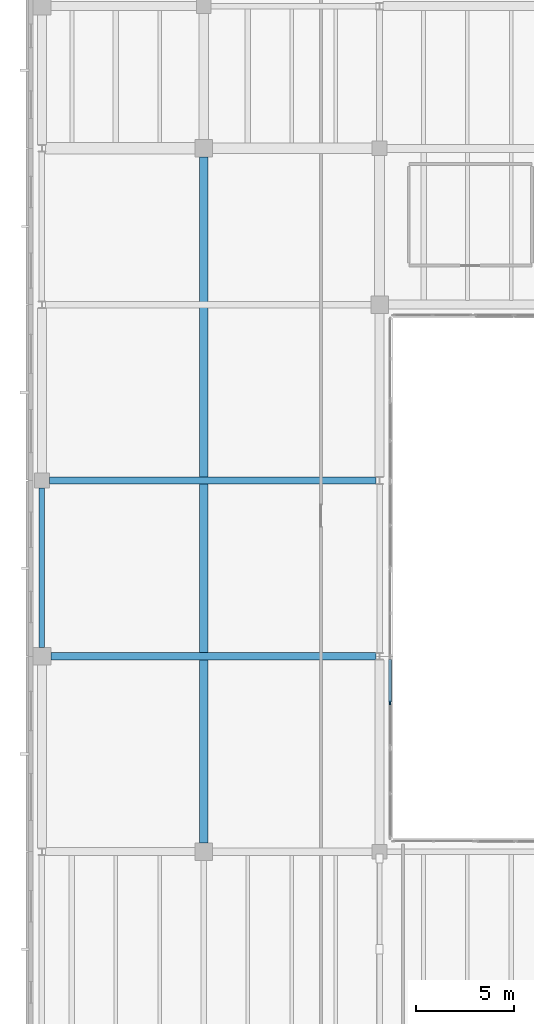
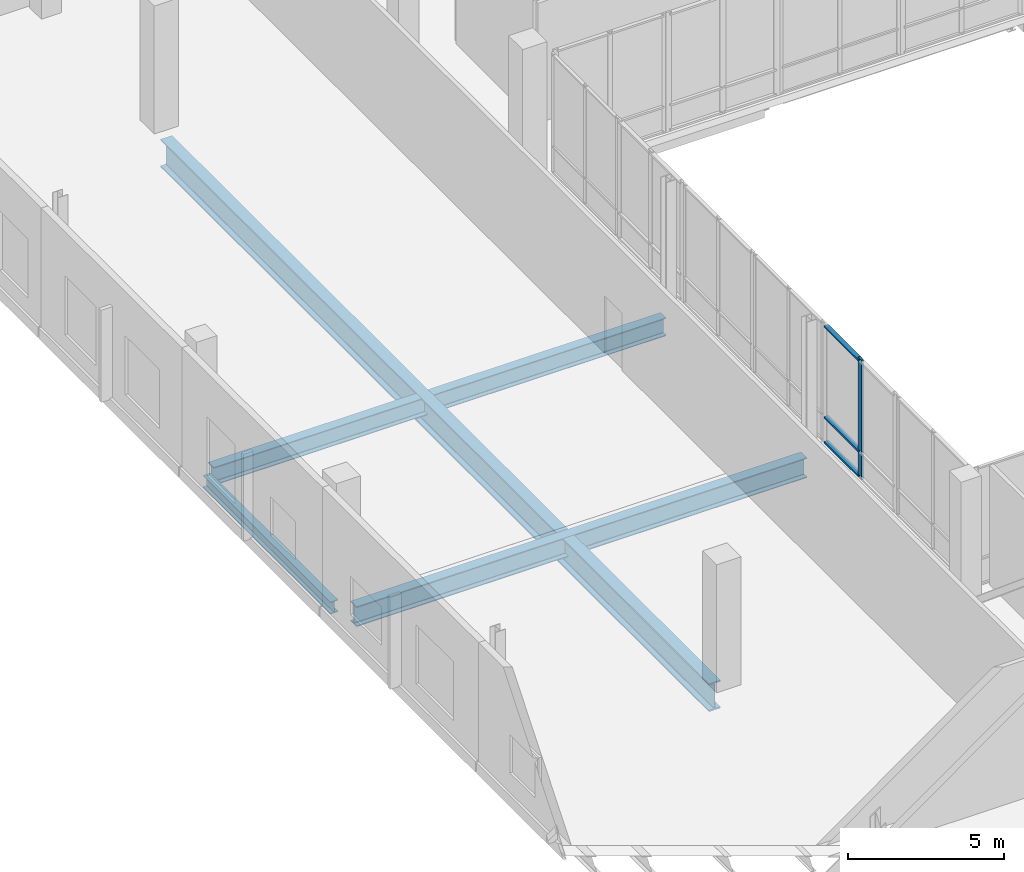
# One storey, part 32 of 81: 4 beams, 4 members, 1 element without a shape of its own.
"""IFC4 building model written with IfcOpenShell, lengths in metres."""

from ifc_helpers import new_model, si_unit, direction, frame, origin, origin_2d, place, context, subcontext, project, spatial, rectangle, i_section, extrude, material, material_profile, profile_set, type_object, element, aggregate, save


model = new_model("IFC4")

# Units and contexts
model_context = context("Model", 3, precision=1e-05, world=origin(), true_north=direction((0.0, 1.0)))
body_context = subcontext(model_context, "Body", "Model", "MODEL_VIEW")
ifc_project = project(units=[si_unit("LENGTHUNIT", "METRE"), si_unit("AREAUNIT", "SQUARE_METRE"), si_unit("VOLUMEUNIT", "CUBIC_METRE"), si_unit("PLANEANGLEUNIT", "RADIAN"), si_unit("MASSUNIT", "GRAM", prefix="KILO")], contexts=[model_context])

# Site, building, storey
site_placement = place(None, origin())
site = spatial("IfcSite", under=ifc_project, at=site_placement, CompositionType="ELEMENT")
building_placement = place(site_placement, origin())
building = spatial("IfcBuilding", under=site, at=building_placement, Name="Trimount Lyric Opera House", CompositionType="ELEMENT")
storey_placement = place(building_placement, frame((0.0, 0.0, 5.0)))
storey = spatial("IfcBuildingStorey", under=building, at=storey_placement, Name="L01", CompositionType="ELEMENT", Elevation=5.0)

# Beams
ifc_material_1 = material(Name="Steel ASTM A992 Grade 50", Category="steel")
ifc_material_profile_1 = material_profile(ifc_material_1, i_section(OverallWidth=0.382080078125, OverallDepth=0.779052734375, WebThickness=0.01806640625, FlangeThickness=0.0302734375, FilletRadius=0.01904296875, at=origin_2d()), Name="W30X191")
ifc_profile_set_1 = profile_set([ifc_material_profile_1], Name="Steel ASTM A992 Grade 50")
beam_type_1 = type_object("IfcBeamType", Name="B-06", PredefinedType="BEAM", material=ifc_profile_set_1)
beam_1_placement = place(storey_placement, frame((1.169921875, 84.0, -0.66943359375), z_axis=(1.0, 0.0, 0.0), x_axis=(0.0, 1.0, 0.0)))
element("IfcBeam", 1, at=beam_1_placement, inside=storey, type_object=beam_type_1, Name="L01 girder X-0533", PredefinedType="BEAM", context=body_context, shape_type="SweptSolid", body=[
    extrude(i_section(OverallWidth=0.382080078125, OverallDepth=0.779052734375, WebThickness=0.01806640625, FlangeThickness=0.0302734375, FilletRadius=0.01904296875, at=origin_2d()), origin(), (0.0, 0.0, 1.0), 16.64599609375),
])
ifc_material_2 = material(Name="Steel ASTM A992 Grade 50", Category="steel")
ifc_material_profile_2 = material_profile(ifc_material_2, i_section(OverallWidth=0.35595703125, OverallDepth=0.700927734375, WebThickness=0.016845703125, FlangeThickness=0.02734375, FilletRadius=0.01806640625, at=origin_2d()), Name="W27X161")
ifc_profile_set_2 = profile_set([ifc_material_profile_2], Name="Steel ASTM A992 Grade 50")
beam_type_2 = type_object("IfcBeamType", Name="B-08", PredefinedType="BEAM", material=ifc_profile_set_2)
beam_2_placement = place(storey_placement, frame((1.094970703125, 93.0, -0.630615234375), z_axis=(1.0, 0.0, 0.0), x_axis=(0.0, 1.0, 0.0)))
element("IfcBeam", 2, at=beam_2_placement, inside=storey, type_object=beam_type_2, Name="L01 girder X-0543", PredefinedType="BEAM", context=body_context, shape_type="SweptSolid", body=[
    extrude(i_section(OverallWidth=0.35595703125, OverallDepth=0.700927734375, WebThickness=0.016845703125, FlangeThickness=0.02734375, FilletRadius=0.01806640625, at=origin_2d()), origin(), (0.0, 0.0, 1.0), 16.718505859375),
])

# Curtain wall, member
ifc_material_3 = material(Name="Thermally Broken Aluminium and Low-E Glass", Category="aluminium")
curtain_wall_type = type_object("IfcCurtainWallType", Name="CW-03", PredefinedType="NOTDEFINED", material=ifc_material_3)
curtain_wall_placement = place(storey_placement, origin())
curtain_wall = element("IfcCurtainWall", 3, at=curtain_wall_placement, inside=storey, type_object=curtain_wall_type, Name="L01 curtain wall 165", PredefinedType="NOTDEFINED")
ifc_material_4 = material(Name="Anodised Aluminium 6063-T6", Category="aluminium")
ifc_material_profile_3 = material_profile(ifc_material_4, rectangle(XDim=0.070068359375, YDim=0.219970703125, at=origin_2d()), Name="ALU-MULL-70X220")
ifc_profile_set_3 = profile_set([ifc_material_profile_3], Name="Anodised Aluminium 6063-T6")
member_type_1 = type_object("IfcMemberType", Name="ML-01", PredefinedType="MULLION", material=ifc_profile_set_3)
member_1_placement = place(storey_placement, frame((18.5400390625, 81.625, 0.0), z_axis=(0.0, 0.0, 1.0), x_axis=(1.0, 0.0, 0.0)))
member_1 = element("IfcMember", 4, at=member_1_placement, type_object=member_type_1, Name="CW-03 mullion 2", PredefinedType="MULLION", context=body_context, shape_type="SweptSolid", body=[
    extrude(rectangle(XDim=0.070068359375, YDim=0.219970703125, at=origin_2d()), origin(), (0.0, 0.0, 1.0), 4.679931640625),
])

# Beams
ifc_material_5 = material(Name="Steel ASTM A992 Grade 50", Category="steel")
ifc_material_profile_4 = material_profile(ifc_material_5, i_section(OverallWidth=0.281982421875, OverallDepth=0.467041015625, WebThickness=0.01220703125, FlangeThickness=0.01953125, FilletRadius=0.012939453125, at=origin_2d()), Name="W18X86")
ifc_profile_set_4 = profile_set([ifc_material_profile_4], Name="Steel ASTM A992 Grade 50")
beam_type_3 = type_object("IfcBeamType", Name="SP-01", PredefinedType="SPANDREL", material=ifc_profile_set_4)
beam_3_placement = place(storey_placement, frame((0.719970703125, 84.449951171875, -0.513427734375), z_axis=(0.0, 1.0, 0.0), x_axis=(-1.0, 0.0, 0.0)))
element("IfcBeam", 5, at=beam_3_placement, inside=storey, type_object=beam_type_3, Name="L01 girder Y-0600", PredefinedType="SPANDREL", context=body_context, shape_type="SweptSolid", body=[
    extrude(i_section(OverallWidth=0.281982421875, OverallDepth=0.467041015625, WebThickness=0.01220703125, FlangeThickness=0.01953125, FilletRadius=0.012939453125, at=origin_2d()), origin(), (0.0, 0.0, 1.0), 8.175048828125),
])
ifc_material_6 = material(Name="Steel ASTM A992 Grade 50", Category="steel")
ifc_material_profile_5 = material_profile(ifc_material_6, i_section(OverallWidth=0.427001953125, OverallDepth=1.092041015625, WebThickness=0.031005859375, FlangeThickness=0.055908203125, FilletRadius=0.02490234375, at=origin_2d()), Name="W40X397")
ifc_profile_set_5 = profile_set([ifc_material_profile_5], Name="Steel ASTM A992 Grade 50")
beam_type_4 = type_object("IfcBeamType", Name="TG-02", PredefinedType="USERDEFINED", material=ifc_profile_set_5)
beam_4_placement = place(storey_placement, frame((9.0, 74.449951171875, -0.825927734375), z_axis=(0.0, 1.0, 0.0), x_axis=(-1.0, 0.0, 0.0)))
element("IfcBeam", 6, at=beam_4_placement, inside=storey, type_object=beam_type_4, Name="L01 girder Y-0609", ObjectType="TRANSFER_GIRDER", PredefinedType="USERDEFINED", context=body_context, shape_type="SweptSolid", body=[
    extrude(i_section(OverallWidth=0.427001953125, OverallDepth=1.092041015625, WebThickness=0.031005859375, FlangeThickness=0.055908203125, FilletRadius=0.02490234375, at=origin_2d()), origin(), (0.0, 0.0, 1.0), 35.10009765625),
])

# Member
ifc_material_7 = material(Name="Anodised Aluminium 6063-T6", Category="aluminium")
ifc_material_profile_6 = material_profile(ifc_material_7, rectangle(XDim=0.159912109375, YDim=0.070068359375, at=origin_2d()), Name="ALU-TRAN-70X160")
ifc_profile_set_6 = profile_set([ifc_material_profile_6], Name="Anodised Aluminium 6063-T6")
member_type_2 = type_object("IfcMemberType", Name="TR-01", PredefinedType="USERDEFINED", material=ifc_profile_set_6)
member_2_placement = place(storey_placement, frame((18.5400390625, 83.840087890625, 0.080078125), z_axis=(0.0, -1.0, 0.0), x_axis=(1.0, 0.0, 0.0)))
member_2 = element("IfcMember", 7, at=member_2_placement, type_object=member_type_2, Name="CW-03 transom 1.1", ObjectType="TRANSOM", PredefinedType="USERDEFINED", context=body_context, shape_type="SweptSolid", body=[
    extrude(rectangle(XDim=0.159912109375, YDim=0.070068359375, at=origin_2d()), origin(), (0.0, 0.0, 1.0), 2.18017578125),
])

member_3_placement = place(storey_placement, frame((18.5400390625, 83.840087890625, 1.050048828125), z_axis=(0.0, -1.0, 0.0), x_axis=(1.0, 0.0, 0.0)))
member_3 = element("IfcMember", 8, at=member_3_placement, type_object=member_type_2, Name="CW-03 transom 1.2", ObjectType="TRANSOM", PredefinedType="USERDEFINED", context=body_context, shape_type="SweptSolid", body=[
    extrude(rectangle(XDim=0.159912109375, YDim=0.070068359375, at=origin_2d()), origin(), (0.0, 0.0, 1.0), 2.18017578125),
])

member_4_placement = place(storey_placement, frame((18.5400390625, 83.840087890625, 4.60009765625), z_axis=(0.0, -1.0, 0.0), x_axis=(1.0, 0.0, 0.0)))
member_4 = element("IfcMember", 9, at=member_4_placement, type_object=member_type_2, Name="CW-03 transom 1.3", ObjectType="TRANSOM", PredefinedType="USERDEFINED", context=body_context, shape_type="SweptSolid", body=[
    extrude(rectangle(XDim=0.159912109375, YDim=0.070068359375, at=origin_2d()), origin(), (0.0, 0.0, 1.0), 2.18017578125),
])

aggregate(curtain_wall, [member_1, member_2, member_3, member_4])

save(model, "model.ifc")
